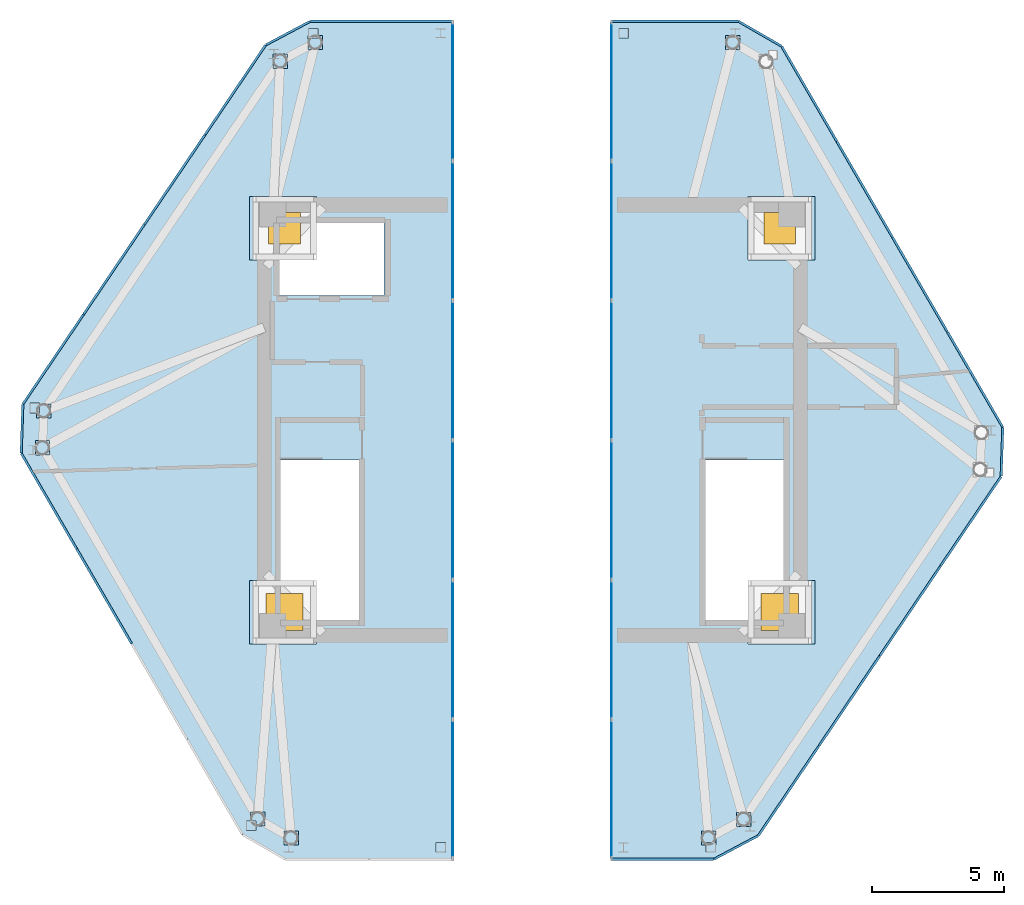
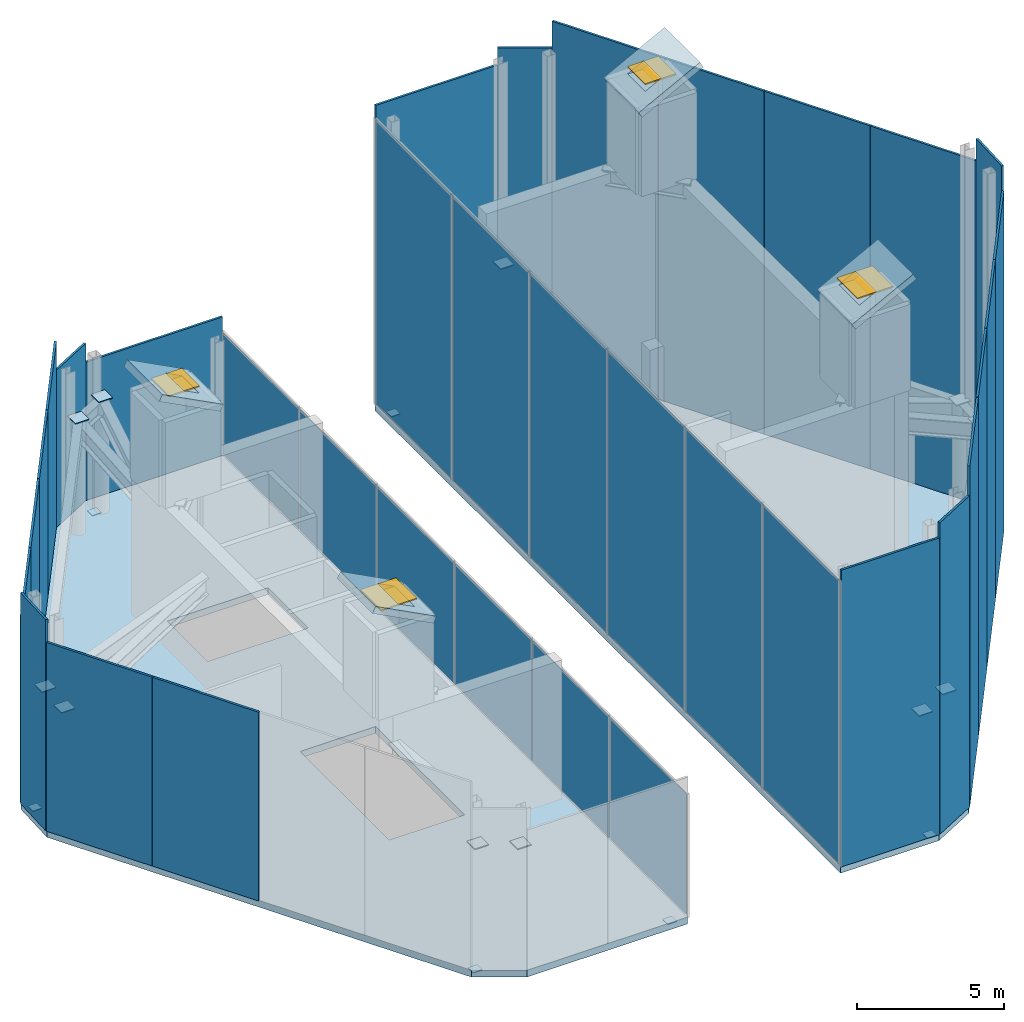
# One storey, part 6 of 9: 49 plates, 6 slabs, 4 windows, 4 openings, 2 elements without a shape of their own.
"""IFC4 building model written with IfcOpenShell, lengths in metres."""

from ifc_helpers import new_model, si_unit, direction, frame, origin, origin_2d, place, context, subcontext, project, spatial, polyline, rectangle, outline, extrude, source, transform, mapped, material, layer, layer_set, type_object, type_shapes, element, fill, aggregate, save


model = new_model("IFC4")

# Units and contexts
model_context = context("Model", 3, precision=1e-05, world=origin(), true_north=direction((0.0, 1.0)))
body_context = subcontext(model_context, "Body", "Model", "MODEL_VIEW")
ifc_project = project(units=[si_unit("LENGTHUNIT", "METRE"), si_unit("AREAUNIT", "SQUARE_METRE"), si_unit("VOLUMEUNIT", "CUBIC_METRE"), si_unit("PLANEANGLEUNIT", "RADIAN"), si_unit("MASSUNIT", "GRAM", prefix="KILO")], contexts=[model_context])

# Site, building, storey
site_placement = place(None, origin())
site = spatial("IfcSite", under=ifc_project, at=site_placement, CompositionType="ELEMENT")
building_placement = place(site_placement, origin())
building = spatial("IfcBuilding", under=site, at=building_placement, Name="Durnholm Broadcast Tower", CompositionType="ELEMENT")
storey_placement = place(building_placement, frame((0.0, 0.0, 287.0)))
storey = spatial("IfcBuildingStorey", under=building, at=storey_placement, Name="L79", CompositionType="ELEMENT", Elevation=287.0)

# Slabs
ifc_material_1 = material(Name="Concrete C50/60", Category="concrete")
ifc_layer_1 = layer(ifc_material_1, 0.280029296875)
ifc_layer_set_1 = layer_set([ifc_layer_1], Name="Concrete C50/60")
slab_type_1 = type_object("IfcSlabType", Name="SLAB-FLR-280", PredefinedType="FLOOR", material=ifc_layer_set_1)
slab_1_placement = place(storey_placement, frame((0.0, 0.0, -0.280029296875)))
element("IfcSlab", 1, at=slab_1_placement, inside=storey, type_object=slab_type_1, Name="L79 west split-crown plant floor slab", PredefinedType="FLOOR", context=body_context, shape_type="SweptSolid", body=[
    extrude(outline(polyline([(-10.946044921875, -15.648193359375), (-9.317626953125, -16.5859375), (-3.0, -16.5859375), (-3.0, 15.06201171875), (-8.386962890625, 15.06201171875), (-10.06591796875, 14.17041015625), (-19.238037109375, 0.603271484375), (-19.3017578125, -1.25048828125), (-10.946044921875, -15.648193359375)]), holes=[polyline([(-9.5, -1.5), (-9.5, -7.550048828125), (-6.5400390625, -7.550048828125), (-6.5400390625, -1.5), (-9.5, -1.5)]), polyline([(-9.550048828125, 7.449951171875), (-9.550048828125, 4.699951171875), (-5.60009765625, 4.699951171875), (-5.60009765625, 7.449951171875), (-9.550048828125, 7.449951171875)])]), origin(), (0.0, 0.0, 1.0), 0.280029296875),
])
slab_2_placement = place(storey_placement, frame((0.0, 0.0, -0.280029296875)))
element("IfcSlab", 2, at=slab_2_placement, inside=storey, type_object=slab_type_1, Name="L79 east split-crown plant floor slab", PredefinedType="FLOOR", context=body_context, shape_type="SweptSolid", body=[
    extrude(outline(polyline([(3.0, 15.06201171875), (3.0, -16.5859375), (6.863037109375, -16.5859375), (8.5419921875, -15.6943359375), (17.714111328125, -2.127197265625), (17.777587890625, -0.273681640625), (9.422119140625, 14.124267578125), (7.793701171875, 15.06201171875), (3.0, 15.06201171875)]), holes=[polyline([(9.5, -1.5), (6.5400390625, -1.5), (6.5400390625, -7.550048828125), (9.5, -7.550048828125), (9.5, -1.5)])]), origin(), (0.0, 0.0, 1.0), 0.280029296875),
])

# Slab, opening, window
ifc_layer_2 = layer(ifc_material_1, 0.280029296875)
ifc_layer_set_2 = layer_set([ifc_layer_2], Name="Concrete C50/60")
slab_type_2 = type_object("IfcSlabType", Name="SLAB-ROOF-280", PredefinedType="ROOF", material=ifc_layer_set_2)
slab_3_placement = place(storey_placement, frame((-10.550048828125, -8.449951171875, 10.60009765625), z_axis=(0.461912241701, 0.0, 0.886925634406), x_axis=(0.886925634406, 0.0, -0.461912241701)))
slab_3 = element("IfcSlab", 3, at=slab_3_placement, inside=storey, type_object=slab_type_2, Name="L79 stair-overrun bulkhead sloped roof slab HOOD-1", PredefinedType="ROOF", context=body_context, shape_type="SweptSolid", body=[
    extrude(outline(polyline([(0.0, 0.0), (2.7061417454482446, 0.0), (2.7061417454482446, 2.39990234375), (0.0, 2.39990234375), (0.0, 0.0)])), origin(), (0.0, 0.0, -1.0), 0.280029296875),
])
opening_1_placement = place(storey_placement, frame((-9.35009765625, -7.25, 9.6494140625)))
opening_1 = element("IfcOpeningElement", 4, at=opening_1_placement, cuts=slab_3, Name="Opening SK1", PredefinedType="OPENING", context=body_context, shape_type="SweptSolid", body=[
    extrude(rectangle(XDim=1.39990234375, YDim=1.39990234375, at=origin_2d()), origin(), (0.0, 0.0, 1.0), 0.335693359375),
])
ifc_material_2 = material(Name="Thermally Broken Aluminium and Laminated Glass", Category="aluminium")
ifc_layer_3 = layer(ifc_material_2, 0.06005859375)
ifc_layer_set_3 = layer_set([ifc_layer_3], Name="Thermally Broken Aluminium and Laminated Glass")
window_type_1 = type_object("IfcWindowType", Name="WIN-SK1", PartitioningType="SINGLE_PANEL", PredefinedType="SKYLIGHT", material=ifc_layer_set_3)
window_1_placement = place(opening_1_placement, frame((0.0, 0.0, 0.275634765625)))
window_1 = element("IfcWindow", 5, at=window_1_placement, inside=storey, type_object=window_type_1, Name="L79 HOOD-1 crown daylight skylight 1", OverallHeight=1.39990234375, OverallWidth=1.39990234375, PartitioningType="SINGLE_PANEL", PredefinedType="SKYLIGHT", context=body_context, shape_type="SweptSolid", body=[
    extrude(rectangle(XDim=1.39990234375, YDim=1.39990234375, at=origin_2d()), origin(), (0.0, 0.0, 1.0), 0.050048828125),
])
fill(opening_1, window_1)

slab_4_placement = place(storey_placement, frame((-10.550048828125, 6.050048828125, 10.60009765625), z_axis=(0.461912241701, 0.0, 0.886925634406), x_axis=(0.886925634406, 0.0, -0.461912241701)))
slab_4 = element("IfcSlab", 6, at=slab_4_placement, inside=storey, type_object=slab_type_2, Name="L79 stair-overrun bulkhead sloped roof slab HOOD-2", PredefinedType="ROOF", context=body_context, shape_type="SweptSolid", body=[
    extrude(outline(polyline([(0.0, 0.0), (2.7061417454482446, 0.0), (2.7061417454482446, 2.39990234375), (0.0, 2.39990234375), (0.0, 0.0)])), origin(), (0.0, 0.0, -1.0), 0.280029296875),
])
opening_2_placement = place(storey_placement, frame((-9.35009765625, 7.25, 9.6494140625)))
opening_2 = element("IfcOpeningElement", 7, at=opening_2_placement, cuts=slab_4, Name="Opening SK2", PredefinedType="OPENING", context=body_context, shape_type="SweptSolid", body=[
    extrude(rectangle(XDim=1.199951171875, YDim=1.199951171875, at=origin_2d()), origin(), (0.0, 0.0, 1.0), 0.335693359375),
])
ifc_layer_4 = layer(ifc_material_2, 0.06005859375)
ifc_layer_set_4 = layer_set([ifc_layer_4], Name="Thermally Broken Aluminium and Laminated Glass")
window_type_2 = type_object("IfcWindowType", Name="WIN-SK2", PartitioningType="SINGLE_PANEL", PredefinedType="SKYLIGHT", material=ifc_layer_set_4)
window_2_placement = place(opening_2_placement, frame((0.0, 0.0, 0.275634765625)))
window_2 = element("IfcWindow", 8, at=window_2_placement, inside=storey, type_object=window_type_2, Name="L79 HOOD-2 crown daylight skylight 2", OverallHeight=1.199951171875, OverallWidth=1.199951171875, PartitioningType="SINGLE_PANEL", PredefinedType="SKYLIGHT", context=body_context, shape_type="SweptSolid", body=[
    extrude(rectangle(XDim=1.199951171875, YDim=1.199951171875, at=origin_2d()), origin(), (0.0, 0.0, 1.0), 0.050048828125),
])
fill(opening_2, window_2)

slab_5_placement = place(storey_placement, frame((8.14990234375, -8.449951171875, 15.75), z_axis=(-0.461912241701, 0.0, 0.886925634406), x_axis=(0.886925634406, 0.0, 0.461912241701)))
slab_5 = element("IfcSlab", 9, at=slab_5_placement, inside=storey, type_object=slab_type_2, Name="L79 stair-overrun bulkhead sloped roof slab HOOD-3", PredefinedType="ROOF", context=body_context, shape_type="SweptSolid", body=[
    extrude(outline(polyline([(0.0, 0.0), (2.7061417454482446, 0.0), (2.7061417454482446, 2.39990234375), (0.0, 2.39990234375), (0.0, 0.0)])), origin(), (0.0, 0.0, -1.0), 0.280029296875),
])
opening_3_placement = place(storey_placement, frame((9.35009765625, -7.25, 16.04931640625)))
opening_3 = element("IfcOpeningElement", 10, at=opening_3_placement, cuts=slab_5, Name="Opening SK1", PredefinedType="OPENING", context=body_context, shape_type="SweptSolid", body=[
    extrude(rectangle(XDim=1.39990234375, YDim=1.39990234375, at=origin_2d()), origin(), (0.0, 0.0, 1.0), 0.335693359375),
])
window_3_placement = place(opening_3_placement, frame((0.0, 0.0, 0.275634765625)))
window_3 = element("IfcWindow", 11, at=window_3_placement, inside=storey, type_object=window_type_1, Name="L79 HOOD-3 crown daylight skylight 3", OverallHeight=1.39990234375, OverallWidth=1.39990234375, PartitioningType="SINGLE_PANEL", PredefinedType="SKYLIGHT", context=body_context, shape_type="SweptSolid", body=[
    extrude(rectangle(XDim=1.39990234375, YDim=1.39990234375, at=origin_2d()), origin(), (0.0, 0.0, 1.0), 0.050048828125),
])
fill(opening_3, window_3)

slab_6_placement = place(storey_placement, frame((8.14990234375, 6.050048828125, 15.75), z_axis=(-0.461912241701, 0.0, 0.886925634406), x_axis=(0.886925634406, 0.0, 0.461912241701)))
slab_6 = element("IfcSlab", 12, at=slab_6_placement, inside=storey, type_object=slab_type_2, Name="L79 stair-overrun bulkhead sloped roof slab HOOD-4", PredefinedType="ROOF", context=body_context, shape_type="SweptSolid", body=[
    extrude(outline(polyline([(0.0, 0.0), (2.7061417454482446, 0.0), (2.7061417454482446, 2.39990234375), (0.0, 2.39990234375), (0.0, 0.0)])), origin(), (0.0, 0.0, -1.0), 0.280029296875),
])
opening_4_placement = place(storey_placement, frame((9.35009765625, 7.25, 16.04931640625)))
opening_4 = element("IfcOpeningElement", 13, at=opening_4_placement, cuts=slab_6, Name="Opening SK2", PredefinedType="OPENING", context=body_context, shape_type="SweptSolid", body=[
    extrude(rectangle(XDim=1.199951171875, YDim=1.199951171875, at=origin_2d()), origin(), (0.0, 0.0, 1.0), 0.335693359375),
])
window_4_placement = place(opening_4_placement, frame((0.0, 0.0, 0.275634765625)))
window_4 = element("IfcWindow", 14, at=window_4_placement, inside=storey, type_object=window_type_2, Name="L79 HOOD-4 crown daylight skylight 4", OverallHeight=1.199951171875, OverallWidth=1.199951171875, PartitioningType="SINGLE_PANEL", PredefinedType="SKYLIGHT", context=body_context, shape_type="SweptSolid", body=[
    extrude(rectangle(XDim=1.199951171875, YDim=1.199951171875, at=origin_2d()), origin(), (0.0, 0.0, 1.0), 0.050048828125),
])
fill(opening_4, window_4)

# Plates
ifc_material_3 = material(Name="Steel ASTM A572 Grade 50", Category="steel")
ifc_layer_5 = layer(ifc_material_3, 0.0400390625)
ifc_layer_set_5 = layer_set([ifc_layer_5], Name="Steel ASTM A572 Grade 50")
plate_type_1 = type_object("IfcPlateType", Name="PLT-KN-CAP", PredefinedType="USERDEFINED", material=ifc_layer_set_5)
shared_shape_1 = source(origin(), body_context, "Body", "SweptSolid", [
    extrude(rectangle(XDim=0.5400390625, YDim=0.5400390625, at=origin_2d()), origin(), (0.0, 0.0, 1.0), 0.0400390625),
])
for number, where, z_axis, x_axis, name in (
    (15, (-10.361328125, -15.061767578125, 4.699951171875), (0.0, 0.0, 1.0), (1.0, 0.0, 0.0), "L79 hollow section end cap plate COL-TUBE-L79-01 2"),
    (16, (-18.494384765625, -1.0478515625, 4.699951171875), (0.0, 0.0, 1.0), (1.0, 0.0, 0.0), "L79 hollow section end cap plate COL-TUBE-L79-02 2"),
    (17, (-18.4462890625, 0.345947265625, 4.699951171875), (0.0, 0.0, 1.0), (1.0, 0.0, 0.0), "L79 hollow section end cap plate COL-TUBE-L79-03 2"),
    (18, (-9.514892578125, 13.557373046875, 4.699951171875), (0.0, 0.0, 1.0), (1.0, 0.0, 0.0), "L79 hollow section end cap plate COL-TUBE-L79-04 2"),
    (19, (-8.187744140625, 14.261962890625, 4.699951171875), (0.0, 0.0, 1.0), (1.0, 0.0, 0.0), "L79 hollow section end cap plate COL-TUBE-L79-05 2"),
    (20, (7.57958984375, 14.261962890625, 4.699951171875), (0.0, 0.0, 1.0), (1.0, 0.0, 0.0), "L79 hollow section end cap plate COL-TUBE-L79-06 2"),
    (21, (7.990966796875, -15.081298828125, 4.699951171875), (0.0, 0.0, 1.0), (1.0, 0.0, 0.0), "L79 hollow section end cap plate COL-TUBE-L79-10 2"),
    (22, (6.663818359375, -15.785888671875, 4.699951171875), (0.0, 0.0, 1.0), (1.0, 0.0, 0.0), "L79 hollow section end cap plate COL-TUBE-L79-11 2"),
    (23, (-9.103759765625, -15.785888671875, 4.699951171875), (0.0, 0.0, 1.0), (1.0, 0.0, 0.0), "L79 hollow section end cap plate COL-TUBE-L79-12 2"),
):
    element("IfcPlate", number, at=place(storey_placement, frame(where, z_axis=z_axis, x_axis=x_axis)), inside=storey, type_object=plate_type_1, Name=name, ObjectType="CAP_PLATE", PredefinedType="USERDEFINED", context=body_context, shape_type="MappedRepresentation", body=[
        mapped(shared_shape_1, transform((0.0, 0.0, 0.0), x_axis=(1.0, 0.0, 0.0), y_axis=(0.0, 1.0, 0.0), z_axis=(0.0, 0.0, 1.0), scale=1.0)),
    ])
shared_shape_2 = source(origin(), body_context, "Body", "SweptSolid", [
    extrude(rectangle(XDim=0.360107421875, YDim=0.360107421875, at=origin_2d()), origin(), (0.0, 0.0, 1.0), 0.0400390625),
])
type_shapes(plate_type_1, [shared_shape_1, shared_shape_2])
for number, where, z_axis, x_axis, name in (
    (24, (-10.6171875, -15.318359375, -0.280029296875), (0.0, 0.0, 1.0), (1.0, 0.0, 0.0), "L79 hollow section base cap plate CF-POST-L79-W-1"),
    (25, (-3.449951171875, -16.135986328125, -0.280029296875), (0.0, 0.0, 1.0), (1.0, 0.0, 0.0), "L79 hollow section base cap plate CF-POST-L79-W-3"),
    (26, (-8.27490234375, 14.612060546875, -0.280029296875), (0.0, 0.0, 1.0), (1.0, 0.0, 0.0), "L79 hollow section base cap plate CF-POST-L79-W-5"),
    (27, (-18.792724609375, 0.45849609375, -0.280029296875), (0.0, 0.0, 1.0), (1.0, 0.0, 0.0), "L79 hollow section base cap plate CF-POST-L79-W-7"),
    (28, (3.449951171875, 14.612060546875, -0.280029296875), (0.0, 0.0, 1.0), (1.0, 0.0, 0.0), "L79 hollow section base cap plate CF-POST-L79-E-1"),
    (29, (6.7509765625, -16.135986328125, -0.280029296875), (0.0, 0.0, 1.0), (1.0, 0.0, 0.0), "L79 hollow section base cap plate CF-POST-L79-E-3"),
):
    element("IfcPlate", number, at=place(storey_placement, frame(where, z_axis=z_axis, x_axis=x_axis)), inside=storey, type_object=plate_type_1, Name=name, ObjectType="CAP_PLATE", PredefinedType="USERDEFINED", context=body_context, shape_type="MappedRepresentation", body=[
        mapped(shared_shape_2, transform((0.0, 0.0, 0.0), x_axis=(1.0, 0.0, 0.0), y_axis=(0.0, 1.0, 0.0), z_axis=(0.0, 0.0, 1.0), scale=1.0)),
    ])
ifc_material_4 = material(Name="Anodised Architectural Aluminium Louvre Screen", Category="aluminium")
ifc_layer_6 = layer(ifc_material_4, 0.0849609375)
ifc_layer_set_6 = layer_set([ifc_layer_6], Name="Anodised Architectural Aluminium Louvre Screen")
plate_type_2 = type_object("IfcPlateType", Name="PLT-CROWN-SCR", PredefinedType="USERDEFINED", material=ifc_layer_set_6)
shared_shape_3 = source(origin(), body_context, "Body", "SweptSolid", [
    extrude(rectangle(XDim=1.834716796875, YDim=0.0849609375, at=origin_2d()), origin(), (0.0, 0.0, 1.0), 8.7529296875),
])
plate_1_placement = place(storey_placement, frame((-19.27001953125, -0.323486328125, 0.0), z_axis=(0.0, 0.0, 1.0), x_axis=(0.034376212129, 0.999408963358, 0.0)))
element("IfcPlate", 30, at=plate_1_placement, inside=storey, type_object=plate_type_2, Name="L79 mechanical louvre screen panel SCR-L79-W-1.1", ObjectType="SCREEN", PredefinedType="USERDEFINED", context=body_context, shape_type="MappedRepresentation", body=[
    mapped(shared_shape_3, transform((0.0, 0.0, 0.0), x_axis=(1.0, 0.0, 0.0), y_axis=(0.0, 1.0, 0.0), z_axis=(0.0, 0.0, 1.0), scale=1.0)),
])
shared_shape_4 = source(origin(), body_context, "Body", "SweptSolid", [
    extrude(rectangle(XDim=4.07421875, YDim=0.0849609375, at=origin_2d()), origin(), (0.0, 0.0, 1.0), 7.729248046875),
])
for number, where, z_axis, x_axis, name in (
    (31, (-18.091552734375, 2.29931640625, 0.0), (0.0, 0.0, 1.0), (0.560060762816, 0.828451532652, 0.0), "L79 mechanical louvre screen panel SCR-L79-W-2.1"),
    (32, (-15.798583984375, 5.69091796875, 0.0), (0.0, 0.0, 1.0), (0.560060762816, 0.828451532652, 0.0), "L79 mechanical louvre screen panel SCR-L79-W-2.2"),
    (33, (-13.505615234375, 9.082763671875, 0.0), (0.0, 0.0, 1.0), (0.560060762816, 0.828451532652, 0.0), "L79 mechanical louvre screen panel SCR-L79-W-2.3"),
    (34, (-11.21240234375, 12.474609375, 0.0), (0.0, 0.0, 1.0), (0.560060762816, 0.828451532652, 0.0), "L79 mechanical louvre screen panel SCR-L79-W-2.4"),
):
    element("IfcPlate", number, at=place(storey_placement, frame(where, z_axis=z_axis, x_axis=x_axis)), inside=storey, type_object=plate_type_2, Name=name, ObjectType="SCREEN", PredefinedType="USERDEFINED", context=body_context, shape_type="MappedRepresentation", body=[
        mapped(shared_shape_4, transform((0.0, 0.0, 0.0), x_axis=(1.0, 0.0, 0.0), y_axis=(0.0, 1.0, 0.0), z_axis=(0.0, 0.0, 1.0), scale=1.0)),
    ])
shared_shape_5 = source(origin(), body_context, "Body", "SweptSolid", [
    extrude(rectangle(XDim=1.881103515625, YDim=0.0849609375, at=origin_2d()), origin(), (0.0, 0.0, 1.0), 6.5263671875),
])
plate_2_placement = place(storey_placement, frame((-9.2265625, 14.6162109375, 0.0), z_axis=(0.0, 0.0, 1.0), x_axis=(0.883193286551, 0.469009188174, 0.0)))
element("IfcPlate", 35, at=plate_2_placement, inside=storey, type_object=plate_type_2, Name="L79 mechanical louvre screen panel SCR-L79-W-3.1", ObjectType="SCREEN", PredefinedType="USERDEFINED", context=body_context, shape_type="MappedRepresentation", body=[
    mapped(shared_shape_5, transform((0.0, 0.0, 0.0), x_axis=(1.0, 0.0, 0.0), y_axis=(0.0, 1.0, 0.0), z_axis=(0.0, 0.0, 1.0), scale=1.0)),
])
shared_shape_6 = source(origin(), body_context, "Body", "SweptSolid", [
    extrude(rectangle(XDim=5.366943359375, YDim=0.0849609375, at=origin_2d()), origin(), (0.0, 0.0, 1.0), 5.7431640625),
])
plate_3_placement = place(storey_placement, frame((-5.693603515625, 15.06201171875, 0.0), z_axis=(0.0, 0.0, 1.0), x_axis=(1.0, 0.0, 0.0)))
element("IfcPlate", 36, at=plate_3_placement, inside=storey, type_object=plate_type_2, Name="L79 mechanical louvre screen panel SCR-L79-W-4.1", ObjectType="SCREEN", PredefinedType="USERDEFINED", context=body_context, shape_type="MappedRepresentation", body=[
    mapped(shared_shape_6, transform((0.0, 0.0, 0.0), x_axis=(1.0, 0.0, 0.0), y_axis=(0.0, 1.0, 0.0), z_axis=(0.0, 0.0, 1.0), scale=1.0)),
])

# Curtain wall, plates
ifc_material_5 = material(Name="Aluminium and Solar Control IGU", Category="aluminium")
ifc_layer_7 = layer(ifc_material_5, 0.1650390625)
ifc_layer_set_7 = layer_set([ifc_layer_7], Name="Aluminium and Solar Control IGU")
curtain_wall_type = type_object("IfcCurtainWallType", Name="CW-SYS-7", PredefinedType="NOTDEFINED", material=ifc_layer_set_7)
curtain_wall_1_placement = place(storey_placement, origin())
curtain_wall_1 = element("IfcCurtainWall", 37, at=curtain_wall_1_placement, inside=storey, type_object=curtain_wall_type, Name="L79 curtain wall CW-CROWN CW-L79-W-5", PredefinedType="NOTDEFINED")
ifc_material_6 = material(Name="Low-E Laminated Insulating Glass", Category="glass")
ifc_layer_8 = layer(ifc_material_6, 0.028076171875)
ifc_layer_set_8 = layer_set([ifc_layer_8], Name="Low-E Laminated Insulating Glass")
plate_type_3 = type_object("IfcPlateType", Name="CW-SYS-7-PNL", PredefinedType="CURTAIN_PANEL", material=ifc_layer_set_8)
shared_shape_7 = source(origin(), body_context, "Body", "SweptSolid", [
    extrude(rectangle(XDim=5.17724609375, YDim=0.028076171875, at=origin_2d()), origin(), (0.0, 0.0, 1.0), 5.01611328125),
])
plate_4_placement = place(storey_placement, frame((-3.0, 12.408447265625, 0.06494140625), z_axis=(0.0, 0.0, 1.0), x_axis=(0.0, -1.0, 0.0)))
plate_4 = element("IfcPlate", 38, at=plate_4_placement, type_object=plate_type_3, Name="CW-CROWN panel 1.1", PredefinedType="CURTAIN_PANEL", context=body_context, shape_type="MappedRepresentation", body=[
    mapped(shared_shape_7, transform((0.0, 0.0, 0.0), x_axis=(1.0, 0.0, 0.0), y_axis=(0.0, 1.0, 0.0), z_axis=(0.0, 0.0, 1.0), scale=1.0)),
])
plate_5_placement = place(storey_placement, frame((-3.0, -13.932373046875, 0.06494140625), z_axis=(0.0, 0.0, 1.0), x_axis=(0.0, -1.0, 0.0)))
plate_5 = element("IfcPlate", 39, at=plate_5_placement, type_object=plate_type_3, Name="CW-CROWN panel 6.1", PredefinedType="CURTAIN_PANEL", context=body_context, shape_type="MappedRepresentation", body=[
    mapped(shared_shape_7, transform((0.0, 0.0, 0.0), x_axis=(1.0, 0.0, 0.0), y_axis=(0.0, 1.0, 0.0), z_axis=(0.0, 0.0, 1.0), scale=1.0)),
])
shared_shape_8 = source(origin(), body_context, "Body", "SweptSolid", [
    extrude(rectangle(XDim=5.209716796875, YDim=0.028076171875, at=origin_2d()), origin(), (0.0, 0.0, 1.0), 5.01611328125),
])
plate_6_placement = place(storey_placement, frame((-3.0, 7.14990234375, 0.06494140625), z_axis=(0.0, 0.0, 1.0), x_axis=(0.0, -1.0, 0.0)))
plate_6 = element("IfcPlate", 40, at=plate_6_placement, type_object=plate_type_3, Name="CW-CROWN panel 2.1", PredefinedType="CURTAIN_PANEL", context=body_context, shape_type="MappedRepresentation", body=[
    mapped(shared_shape_8, transform((0.0, 0.0, 0.0), x_axis=(1.0, 0.0, 0.0), y_axis=(0.0, 1.0, 0.0), z_axis=(0.0, 0.0, 1.0), scale=1.0)),
])
plate_7_placement = place(storey_placement, frame((-3.0, 1.875244140625, 0.06494140625), z_axis=(0.0, 0.0, 1.0), x_axis=(0.0, -1.0, 0.0)))
plate_7 = element("IfcPlate", 41, at=plate_7_placement, type_object=plate_type_3, Name="CW-CROWN panel 3.1", PredefinedType="CURTAIN_PANEL", context=body_context, shape_type="MappedRepresentation", body=[
    mapped(shared_shape_8, transform((0.0, 0.0, 0.0), x_axis=(1.0, 0.0, 0.0), y_axis=(0.0, 1.0, 0.0), z_axis=(0.0, 0.0, 1.0), scale=1.0)),
])
plate_8_placement = place(storey_placement, frame((-3.0, -3.3994140625, 0.06494140625), z_axis=(0.0, 0.0, 1.0), x_axis=(0.0, -1.0, 0.0)))
plate_8 = element("IfcPlate", 42, at=plate_8_placement, type_object=plate_type_3, Name="CW-CROWN panel 4.1", PredefinedType="CURTAIN_PANEL", context=body_context, shape_type="MappedRepresentation", body=[
    mapped(shared_shape_8, transform((0.0, 0.0, 0.0), x_axis=(1.0, 0.0, 0.0), y_axis=(0.0, 1.0, 0.0), z_axis=(0.0, 0.0, 1.0), scale=1.0)),
])
plate_9_placement = place(storey_placement, frame((-3.0, -8.674072265625, 0.06494140625), z_axis=(0.0, 0.0, 1.0), x_axis=(0.0, -1.0, 0.0)))
plate_9 = element("IfcPlate", 43, at=plate_9_placement, type_object=plate_type_3, Name="CW-CROWN panel 5.1", PredefinedType="CURTAIN_PANEL", context=body_context, shape_type="MappedRepresentation", body=[
    mapped(shared_shape_8, transform((0.0, 0.0, 0.0), x_axis=(1.0, 0.0, 0.0), y_axis=(0.0, 1.0, 0.0), z_axis=(0.0, 0.0, 1.0), scale=1.0)),
])
aggregate(curtain_wall_1, [plate_4, plate_6, plate_7, plate_8, plate_9, plate_5])

# Plates
shared_shape_9 = source(origin(), body_context, "Body", "SweptSolid", [
    extrude(rectangle(XDim=4.1416015625, YDim=0.0849609375, at=origin_2d()), origin(), (0.0, 0.0, 1.0), 7.833740234375),
])
for number, where, z_axis, x_axis, name in (
    (44, (-16.168212890625, -6.649658203125, 0.0), (0.0, 0.0, 1.0), (-0.501963660617, 0.864888711581, 0.0), "L79 mechanical louvre screen panel SCR-L79-W-8.3"),
    (45, (-18.257080078125, -3.050048828125, 0.0), (0.0, 0.0, 1.0), (-0.501963660617, 0.864888711581, 0.0), "L79 mechanical louvre screen panel SCR-L79-W-8.4"),
):
    element("IfcPlate", number, at=place(storey_placement, frame(where, z_axis=z_axis, x_axis=x_axis)), inside=storey, type_object=plate_type_2, Name=name, ObjectType="SCREEN", PredefinedType="USERDEFINED", context=body_context, shape_type="MappedRepresentation", body=[
        mapped(shared_shape_9, transform((0.0, 0.0, 0.0), x_axis=(1.0, 0.0, 0.0), y_axis=(0.0, 1.0, 0.0), z_axis=(0.0, 0.0, 1.0), scale=1.0)),
    ])
shared_shape_10 = source(origin(), body_context, "Body", "SweptSolid", [
    extrude(rectangle(XDim=1.859130859375, YDim=0.0849609375, at=origin_2d()), origin(), (0.0, 0.0, 1.0), 13.127197265625),
])
plate_10_placement = place(storey_placement, frame((8.60791015625, 14.593017578125, 0.0), z_axis=(0.0, 0.0, 1.0), x_axis=(0.866548527613, -0.499092826328, 0.0)))
element("IfcPlate", 46, at=plate_10_placement, inside=storey, type_object=plate_type_2, Name="L79 mechanical louvre screen panel SCR-L79-E-1.1", ObjectType="SCREEN", PredefinedType="USERDEFINED", context=body_context, shape_type="MappedRepresentation", body=[
    mapped(shared_shape_10, transform((0.0, 0.0, 0.0), x_axis=(1.0, 0.0, 0.0), y_axis=(0.0, 1.0, 0.0), z_axis=(0.0, 0.0, 1.0), scale=1.0)),
])
shared_shape_11 = source(origin(), body_context, "Body", "SweptSolid", [
    extrude(rectangle(XDim=4.1416015625, YDim=0.0849609375, at=origin_2d()), origin(), (0.0, 0.0, 1.0), 14.23388671875),
])
for number, where, z_axis, x_axis, name in (
    (47, (10.466552734375, 12.324462890625, 0.0), (0.0, 0.0, 1.0), (0.501963660617, -0.864888711581, 0.0), "L79 mechanical louvre screen panel SCR-L79-E-2.1"),
    (48, (12.555419921875, 8.72509765625, 0.0), (0.0, 0.0, 1.0), (0.501963660617, -0.864888711581, 0.0), "L79 mechanical louvre screen panel SCR-L79-E-2.2"),
    (49, (14.644287109375, 5.12548828125, 0.0), (0.0, 0.0, 1.0), (0.501963660617, -0.864888711581, 0.0), "L79 mechanical louvre screen panel SCR-L79-E-2.3"),
    (50, (16.733154296875, 1.526123046875, 0.0), (0.0, 0.0, 1.0), (0.501963660617, -0.864888711581, 0.0), "L79 mechanical louvre screen panel SCR-L79-E-2.4"),
):
    element("IfcPlate", number, at=place(storey_placement, frame(where, z_axis=z_axis, x_axis=x_axis)), inside=storey, type_object=plate_type_2, Name=name, ObjectType="SCREEN", PredefinedType="USERDEFINED", context=body_context, shape_type="MappedRepresentation", body=[
        mapped(shared_shape_11, transform((0.0, 0.0, 0.0), x_axis=(1.0, 0.0, 0.0), y_axis=(0.0, 1.0, 0.0), z_axis=(0.0, 0.0, 1.0), scale=1.0)),
    ])
shared_shape_12 = source(origin(), body_context, "Body", "SweptSolid", [
    extrude(rectangle(XDim=1.834716796875, YDim=0.0849609375, at=origin_2d()), origin(), (0.0, 0.0, 1.0), 15.153076171875),
])
plate_11_placement = place(storey_placement, frame((17.745849609375, -1.200439453125, 0.0), z_axis=(0.0, 0.0, 1.0), x_axis=(-0.034376212129, -0.999408963358, 0.0)))
element("IfcPlate", 51, at=plate_11_placement, inside=storey, type_object=plate_type_2, Name="L79 mechanical louvre screen panel SCR-L79-E-3.1", ObjectType="SCREEN", PredefinedType="USERDEFINED", context=body_context, shape_type="MappedRepresentation", body=[
    mapped(shared_shape_12, transform((0.0, 0.0, 0.0), x_axis=(1.0, 0.0, 0.0), y_axis=(0.0, 1.0, 0.0), z_axis=(0.0, 0.0, 1.0), scale=1.0)),
])
shared_shape_13 = source(origin(), body_context, "Body", "SweptSolid", [
    extrude(rectangle(XDim=4.07421875, YDim=0.0849609375, at=origin_2d()), origin(), (0.0, 0.0, 1.0), 14.129150390625),
])
for number, where, z_axis, x_axis, name in (
    (52, (16.567626953125, -3.8232421875, 0.0), (0.0, 0.0, 1.0), (-0.560060762816, -0.828451532652, 0.0), "L79 mechanical louvre screen panel SCR-L79-E-4.1"),
    (53, (14.274658203125, -7.215087890625, 0.0), (0.0, 0.0, 1.0), (-0.560060762816, -0.828451532652, 0.0), "L79 mechanical louvre screen panel SCR-L79-E-4.2"),
    (54, (11.9814453125, -10.606689453125, 0.0), (0.0, 0.0, 1.0), (-0.560060762816, -0.828451532652, 0.0), "L79 mechanical louvre screen panel SCR-L79-E-4.3"),
    (55, (9.6884765625, -13.99853515625, 0.0), (0.0, 0.0, 1.0), (-0.560060762816, -0.828451532652, 0.0), "L79 mechanical louvre screen panel SCR-L79-E-4.4"),
):
    element("IfcPlate", number, at=place(storey_placement, frame(where, z_axis=z_axis, x_axis=x_axis)), inside=storey, type_object=plate_type_2, Name=name, ObjectType="SCREEN", PredefinedType="USERDEFINED", context=body_context, shape_type="MappedRepresentation", body=[
        mapped(shared_shape_13, transform((0.0, 0.0, 0.0), x_axis=(1.0, 0.0, 0.0), y_axis=(0.0, 1.0, 0.0), z_axis=(0.0, 0.0, 1.0), scale=1.0)),
    ])
shared_shape_14 = source(origin(), body_context, "Body", "SweptSolid", [
    extrude(rectangle(XDim=1.881103515625, YDim=0.0849609375, at=origin_2d()), origin(), (0.0, 0.0, 1.0), 12.926513671875),
])
plate_12_placement = place(storey_placement, frame((7.702392578125, -16.14013671875, 0.0), z_axis=(0.0, 0.0, 1.0), x_axis=(-0.883193286551, -0.469009188174, 0.0)))
element("IfcPlate", 56, at=plate_12_placement, inside=storey, type_object=plate_type_2, Name="L79 mechanical louvre screen panel SCR-L79-E-5.1", ObjectType="SCREEN", PredefinedType="USERDEFINED", context=body_context, shape_type="MappedRepresentation", body=[
    mapped(shared_shape_14, transform((0.0, 0.0, 0.0), x_axis=(1.0, 0.0, 0.0), y_axis=(0.0, 1.0, 0.0), z_axis=(0.0, 0.0, 1.0), scale=1.0)),
])
shared_shape_15 = source(origin(), body_context, "Body", "SweptSolid", [
    extrude(rectangle(XDim=3.843017578125, YDim=0.0849609375, at=origin_2d()), origin(), (0.0, 0.0, 1.0), 12.31201171875),
])
plate_13_placement = place(storey_placement, frame((4.931396484375, -16.5859375, 0.0), z_axis=(0.0, 0.0, 1.0), x_axis=(-1.0, 0.0, 0.0)))
element("IfcPlate", 57, at=plate_13_placement, inside=storey, type_object=plate_type_2, Name="L79 mechanical louvre screen panel SCR-L79-E-6.1", ObjectType="SCREEN", PredefinedType="USERDEFINED", context=body_context, shape_type="MappedRepresentation", body=[
    mapped(shared_shape_15, transform((0.0, 0.0, 0.0), x_axis=(1.0, 0.0, 0.0), y_axis=(0.0, 1.0, 0.0), z_axis=(0.0, 0.0, 1.0), scale=1.0)),
])

# Curtain wall, plates
curtain_wall_2_placement = place(storey_placement, origin())
curtain_wall_2 = element("IfcCurtainWall", 58, at=curtain_wall_2_placement, inside=storey, type_object=curtain_wall_type, Name="L79 curtain wall CW-CROWN CW-L79-E-7", PredefinedType="NOTDEFINED")
shared_shape_16 = source(origin(), body_context, "Body", "SweptSolid", [
    extrude(rectangle(XDim=5.17724609375, YDim=0.028076171875, at=origin_2d()), origin(), (0.0, 0.0, 1.0), 11.75390625),
])
plate_14_placement = place(storey_placement, frame((3.0, -13.932373046875, 0.06494140625), z_axis=(0.0, 0.0, 1.0), x_axis=(0.0, 1.0, 0.0)))
plate_14 = element("IfcPlate", 59, at=plate_14_placement, type_object=plate_type_3, Name="CW-CROWN panel 1.1", PredefinedType="CURTAIN_PANEL", context=body_context, shape_type="MappedRepresentation", body=[
    mapped(shared_shape_16, transform((0.0, 0.0, 0.0), x_axis=(1.0, 0.0, 0.0), y_axis=(0.0, 1.0, 0.0), z_axis=(0.0, 0.0, 1.0), scale=1.0)),
])
plate_15_placement = place(storey_placement, frame((3.0, 12.408447265625, 0.06494140625), z_axis=(0.0, 0.0, 1.0), x_axis=(0.0, 1.0, 0.0)))
plate_15 = element("IfcPlate", 60, at=plate_15_placement, type_object=plate_type_3, Name="CW-CROWN panel 6.1", PredefinedType="CURTAIN_PANEL", context=body_context, shape_type="MappedRepresentation", body=[
    mapped(shared_shape_16, transform((0.0, 0.0, 0.0), x_axis=(1.0, 0.0, 0.0), y_axis=(0.0, 1.0, 0.0), z_axis=(0.0, 0.0, 1.0), scale=1.0)),
])
shared_shape_17 = source(origin(), body_context, "Body", "SweptSolid", [
    extrude(rectangle(XDim=5.209716796875, YDim=0.028076171875, at=origin_2d()), origin(), (0.0, 0.0, 1.0), 11.75390625),
])
type_shapes(plate_type_3, [shared_shape_7, shared_shape_8, shared_shape_16, shared_shape_17])
plate_16_placement = place(storey_placement, frame((3.0, -8.674072265625, 0.06494140625), z_axis=(0.0, 0.0, 1.0), x_axis=(0.0, 1.0, 0.0)))
plate_16 = element("IfcPlate", 61, at=plate_16_placement, type_object=plate_type_3, Name="CW-CROWN panel 2.1", PredefinedType="CURTAIN_PANEL", context=body_context, shape_type="MappedRepresentation", body=[
    mapped(shared_shape_17, transform((0.0, 0.0, 0.0), x_axis=(1.0, 0.0, 0.0), y_axis=(0.0, 1.0, 0.0), z_axis=(0.0, 0.0, 1.0), scale=1.0)),
])
plate_17_placement = place(storey_placement, frame((3.0, -3.3994140625, 0.06494140625), z_axis=(0.0, 0.0, 1.0), x_axis=(0.0, 1.0, 0.0)))
plate_17 = element("IfcPlate", 62, at=plate_17_placement, type_object=plate_type_3, Name="CW-CROWN panel 3.1", PredefinedType="CURTAIN_PANEL", context=body_context, shape_type="MappedRepresentation", body=[
    mapped(shared_shape_17, transform((0.0, 0.0, 0.0), x_axis=(1.0, 0.0, 0.0), y_axis=(0.0, 1.0, 0.0), z_axis=(0.0, 0.0, 1.0), scale=1.0)),
])
plate_18_placement = place(storey_placement, frame((3.0, 1.875244140625, 0.06494140625), z_axis=(0.0, 0.0, 1.0), x_axis=(0.0, 1.0, 0.0)))
plate_18 = element("IfcPlate", 63, at=plate_18_placement, type_object=plate_type_3, Name="CW-CROWN panel 4.1", PredefinedType="CURTAIN_PANEL", context=body_context, shape_type="MappedRepresentation", body=[
    mapped(shared_shape_17, transform((0.0, 0.0, 0.0), x_axis=(1.0, 0.0, 0.0), y_axis=(0.0, 1.0, 0.0), z_axis=(0.0, 0.0, 1.0), scale=1.0)),
])
plate_19_placement = place(storey_placement, frame((3.0, 7.14990234375, 0.06494140625), z_axis=(0.0, 0.0, 1.0), x_axis=(0.0, 1.0, 0.0)))
plate_19 = element("IfcPlate", 64, at=plate_19_placement, type_object=plate_type_3, Name="CW-CROWN panel 5.1", PredefinedType="CURTAIN_PANEL", context=body_context, shape_type="MappedRepresentation", body=[
    mapped(shared_shape_17, transform((0.0, 0.0, 0.0), x_axis=(1.0, 0.0, 0.0), y_axis=(0.0, 1.0, 0.0), z_axis=(0.0, 0.0, 1.0), scale=1.0)),
])
aggregate(curtain_wall_2, [plate_14, plate_16, plate_17, plate_18, plate_19, plate_15])

# Plate
shared_shape_18 = source(origin(), body_context, "Body", "SweptSolid", [
    extrude(rectangle(XDim=4.773681640625, YDim=0.0849609375, at=origin_2d()), origin(), (0.0, 0.0, 1.0), 12.415283203125),
])
type_shapes(plate_type_2, [shared_shape_3, shared_shape_4, shared_shape_5, shared_shape_6, shared_shape_9, shared_shape_10, shared_shape_11, shared_shape_12, shared_shape_13, shared_shape_14, shared_shape_15, shared_shape_18])
plate_20_placement = place(storey_placement, frame((5.396728515625, 15.06201171875, 0.0), z_axis=(0.0, 0.0, 1.0), x_axis=(1.0, 0.0, 0.0)))
element("IfcPlate", 65, at=plate_20_placement, inside=storey, type_object=plate_type_2, Name="L79 mechanical louvre screen panel SCR-L79-E-8.1", ObjectType="SCREEN", PredefinedType="USERDEFINED", context=body_context, shape_type="MappedRepresentation", body=[
    mapped(shared_shape_18, transform((0.0, 0.0, 0.0), x_axis=(1.0, 0.0, 0.0), y_axis=(0.0, 1.0, 0.0), z_axis=(0.0, 0.0, 1.0), scale=1.0)),
])

save(model, "model.ifc")
